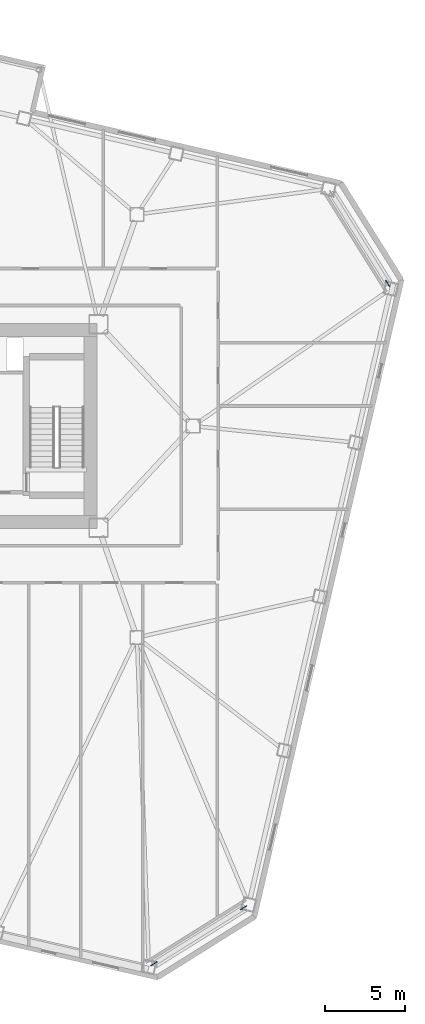
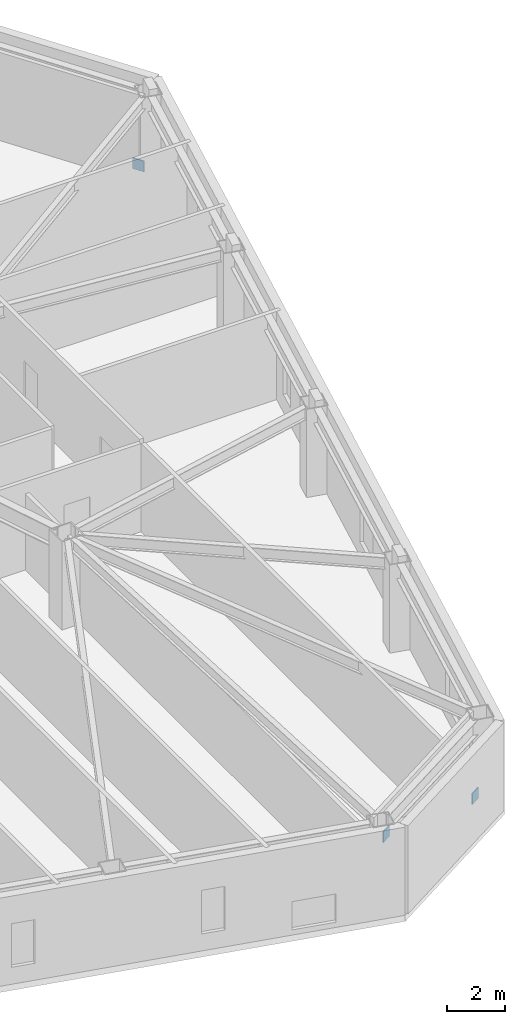
# One storey, part 19 of 21: 3 discrete accessories.
"""IFC4 building model written with IfcOpenShell, lengths in metres."""

from ifc_helpers import new_model, si_unit, direction, frame, origin, origin_2d, place, context, subcontext, project, spatial, rectangle, extrude, material, type_object, element, save


model = new_model("IFC4")

# Units and contexts
model_context = context("Model", 3, precision=1e-05, world=origin(), true_north=direction((0.0, 1.0)))
body_context = subcontext(model_context, "Body", "Model", "MODEL_VIEW")
ifc_project = project(units=[si_unit("LENGTHUNIT", "METRE"), si_unit("AREAUNIT", "SQUARE_METRE"), si_unit("VOLUMEUNIT", "CUBIC_METRE"), si_unit("PLANEANGLEUNIT", "RADIAN"), si_unit("MASSUNIT", "GRAM", prefix="KILO")], contexts=[model_context])

# Site, building, storey
site_placement = place(None, origin())
site = spatial("IfcSite", under=ifc_project, at=site_placement, CompositionType="ELEMENT")
building_placement = place(site_placement, origin())
building = spatial("IfcBuilding", under=site, at=building_placement, Name="Tavrogorsk Clinical Tower", CompositionType="ELEMENT")
storey_placement = place(building_placement, frame((0.0, 0.0, 71.39990234375)))
storey = spatial("IfcBuildingStorey", under=building, at=storey_placement, Name="L15", CompositionType="ELEMENT", Elevation=71.39990234375)

# Discrete accessories
ifc_material = material(Name="Structural steel S440", Category="steel")
discrete_accessory_type = type_object("IfcDiscreteAccessoryType", Name="GussetPlateBracket_25", PredefinedType="BRACKET", material=ifc_material)
for number, where, z_axis, x_axis, name in (
    (1, (31.15185546875, -30.062255859375, 0.212646484375), (0.0, 0.0, 1.0), (-0.848048096156, -0.529919264233, 0.0), "L15 Brace Gusset Plate EXOCRN-L15-1-A"),
    (2, (25.56396484375, -33.553955078125, 2.667724609375), (0.0, 0.0, 1.0), (-0.848048096156, -0.529919264233, 0.0), "L15 Brace Gusset Plate EXOCRN-L15-1-B"),
    (3, (40.145751953125, 8.893798828125, 0.212646484375), (0.0, 0.0, 1.0), (-0.529919264233, 0.848048096156, 0.0), "L15 Brace Gusset Plate EXOCRN-L15-2-A"),
):
    element("IfcDiscreteAccessory", number, at=place(storey_placement, frame(where, z_axis=z_axis, x_axis=x_axis)), inside=storey, type_object=discrete_accessory_type, Name=name, PredefinedType="BRACKET", context=body_context, shape_type="SweptSolid", body=[
        extrude(rectangle(XDim=0.4599609375, YDim=0.0400390625, at=origin_2d()), origin(), (0.0, 0.0, 1.0), 0.4599609375),
    ])

save(model, "model.ifc")
